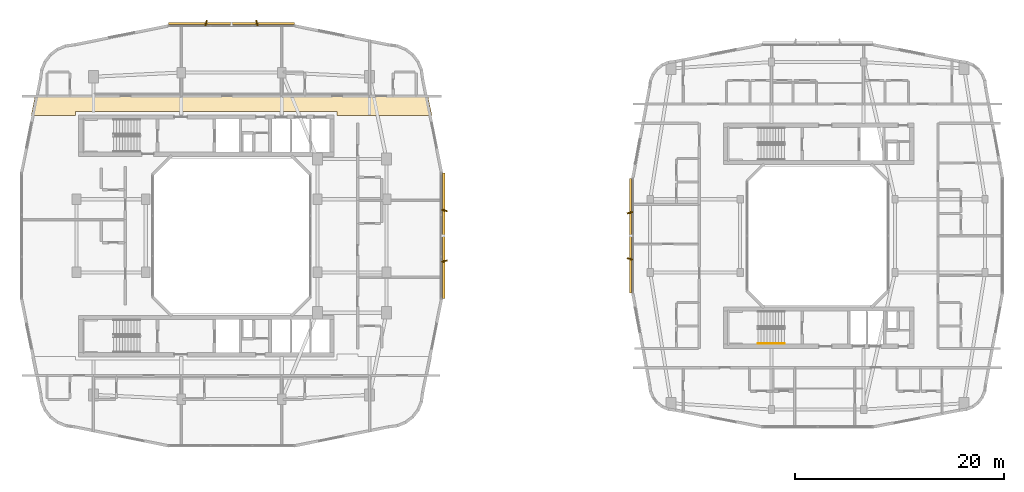
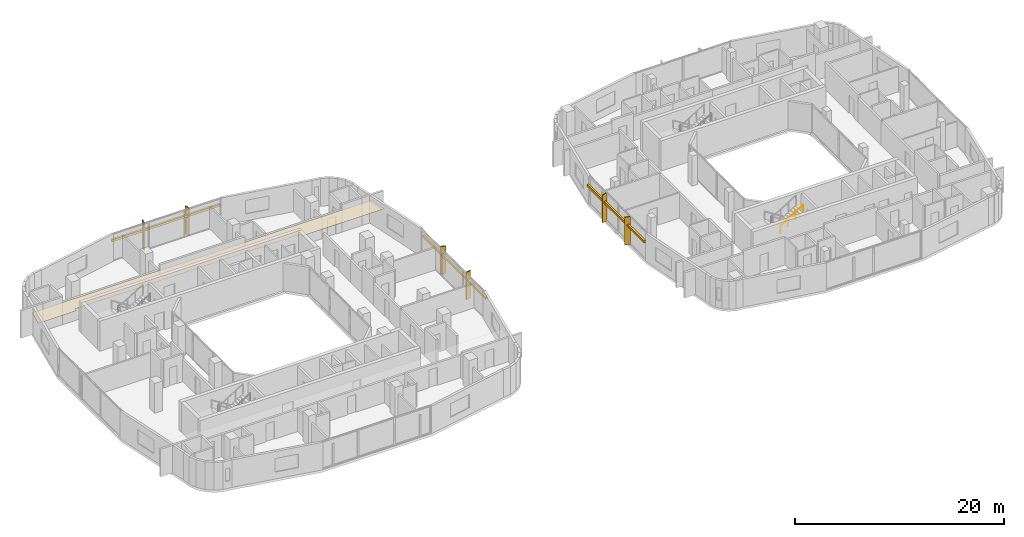
# One storey, part 25 of 26: 9 shading devices, 1 covering, 1 railing.
"""IFC4 building model written with IfcOpenShell, lengths in metres."""

import ifcopenshell
import ifcopenshell.guid

model = None  # the IFC model being written
_history = None  # IfcOwnerHistory: only IFC2X3 demands one
_inside = {}  # id of a spatial element -> (the spatial element, [elements in it])
_under = {}  # id of a project, library or spatial element -> (it, [spatial elements below it])
_declared = {}  # id of a project -> (the project, [libraries it declares])
_typed = {}  # id of a type object -> (the type object, [elements of that type])
_made_of = {}  # id of a material, layer set ... -> (it, [elements and type objects made of it])


def new_model(schema):
    """Start an empty IFC model of exactly this schema.

    Asked for "IFC4X3", IfcOpenShell would pick the latest addendum, in which some entities
    have other attributes; the version numbers below select the first issue.
    IFC2X3 requires an IfcOwnerHistory on every rooted entity: one is made here for all.
    """
    global model, _history
    if schema == "IFC4X3":
        model = ifcopenshell.file(schema_version=(4, 3, 0, 0))
    else:
        model = ifcopenshell.file(schema=schema)
    _inside.clear()
    _under.clear()
    _declared.clear()
    _typed.clear()
    _made_of.clear()
    _history = None
    if model.schema == "IFC2X3":
        org = make("IfcOrganization", Name="unknown")
        user = make(
            "IfcPersonAndOrganization",
            ThePerson=make("IfcPerson", FamilyName="unknown"),
            TheOrganization=org,
        )
        app = make(
            "IfcApplication",
            ApplicationDeveloper=org,
            Version="unknown",
            ApplicationFullName="unknown",
            ApplicationIdentifier="unknown",
        )
        _history = make(
            "IfcOwnerHistory",
            OwningUser=user,
            OwningApplication=app,
            ChangeAction="ADDED",
            CreationDate=0,
        )
    return model


def make(cls, **values):
    """One entity of the class cls with the attributes given. An attribute that is None is left unset."""
    return model.create_entity(
        cls, **{name: value for name, value in values.items() if value is not None}
    )


def rooted(cls, **values):
    """An entity with a GlobalId (a new one), such as an element, a storey or a relation."""
    return make(cls, GlobalId=ifcopenshell.guid.new(), OwnerHistory=_history, **values)


def si_unit(unit_type, name, prefix=None):
    """IfcSIUnit, for example si_unit("LENGTHUNIT", "METRE", prefix="MILLI")."""
    return make("IfcSIUnit", UnitType=unit_type, Prefix=prefix, Name=name)


def derived_unit(unit_type, elements):
    """IfcDerivedUnit: a product of units, each with its exponent."""
    return make(
        "IfcDerivedUnit",
        Elements=[
            make("IfcDerivedUnitElement", Unit=unit, Exponent=power)
            for unit, power in elements
        ],
        UnitType=unit_type,
    )


def assignment(units):
    """IfcUnitAssignment: the units of a project."""
    return None if units is None else make("IfcUnitAssignment", Units=units)


def point(xyz):
    """IfcCartesianPoint."""
    return None if xyz is None else make("IfcCartesianPoint", Coordinates=xyz)


def direction(xyz):
    """IfcDirection."""
    return None if xyz is None else make("IfcDirection", DirectionRatios=xyz)


def frame(location, z_axis=None, x_axis=None):
    """IfcAxis2Placement3D, a coordinate frame: its origin and axes. An axis left out is left unset."""
    return make(
        "IfcAxis2Placement3D",
        Location=point(location),
        Axis=direction(z_axis),
        RefDirection=direction(x_axis),
    )


def frame_2d(location, x_axis=None):
    """IfcAxis2Placement2D, a coordinate frame in the plane: its origin and x axis."""
    return make(
        "IfcAxis2Placement2D", Location=point(location), RefDirection=direction(x_axis)
    )


def origin():
    """The frame at (0, 0, 0) with its axes left unset."""
    return frame((0.0, 0.0, 0.0))


def origin_2d():
    """The frame at (0, 0) in the plane with its x axis left unset."""
    return frame_2d((0.0, 0.0))


def place(relative_to, where):
    """IfcLocalPlacement: puts the frame where relative to a parent placement (None: the world)."""
    return make(
        "IfcLocalPlacement", PlacementRelTo=relative_to, RelativePlacement=where
    )


def context(
    kind, dimensions, precision=None, world=None, true_north=None, identifier=None
):
    """IfcGeometricRepresentationContext, for example the 3D "Model" context."""
    return make(
        "IfcGeometricRepresentationContext",
        ContextIdentifier=identifier,
        ContextType=kind,
        CoordinateSpaceDimension=dimensions,
        Precision=precision,
        WorldCoordinateSystem=world,
        TrueNorth=true_north,
    )


def subcontext(parent, identifier, kind, view, scale=None):
    """IfcGeometricRepresentationSubContext, for example "Body" below "Model"."""
    return make(
        "IfcGeometricRepresentationSubContext",
        ContextIdentifier=identifier,
        ContextType=kind,
        ParentContext=parent,
        TargetScale=scale,
        TargetView=view,
    )


def project(units=None, contexts=None):
    """IfcProject with its units and contexts."""
    return rooted(
        "IfcProject",
        Name="project",
        RepresentationContexts=contexts,
        UnitsInContext=assignment(units),
    )


def spatial(cls, under=None, at=None, **own):
    """A site, building, storey or space (cls), placed at a placement, below another one or the project."""
    s = rooted(cls, ObjectPlacement=at, **own)
    if under is not None:
        _under.setdefault(under.id(), (under, []))[1].append(s)
    return s


def polyline(points):
    """IfcPolyline through the points."""
    return make("IfcPolyline", Points=[point(p) for p in points])


def profile(cls, at=None, kind="AREA", **sizes):
    """A parametric profile (cls). Its sizes go by their IFC names, for example OverallWidth=200.0."""
    return make(cls, ProfileType=kind, Position=at, **sizes)


def rectangle(**sizes):
    """IfcRectangleProfileDef."""
    return profile("IfcRectangleProfileDef", **sizes)


def circle(**sizes):
    """IfcCircleProfileDef."""
    return profile("IfcCircleProfileDef", **sizes)


def outline(outer, holes=None, kind="AREA"):
    """IfcArbitraryClosedProfileDef: a profile drawn as a closed curve; with holes, ...WithVoids."""
    if holes is None:
        return make("IfcArbitraryClosedProfileDef", ProfileType=kind, OuterCurve=outer)
    return make(
        "IfcArbitraryProfileDefWithVoids",
        ProfileType=kind,
        OuterCurve=outer,
        InnerCurves=holes,
    )


def extrude(swept, where, along, depth):
    """IfcExtrudedAreaSolid: the profile swept, set in the frame where, extruded along a direction by depth."""
    return make(
        "IfcExtrudedAreaSolid",
        SweptArea=swept,
        Position=where,
        ExtrudedDirection=direction(along),
        Depth=depth,
    )


def shape(context_of_items, identifier, shape_type, items):
    """IfcShapeRepresentation: the items that make up one representation, for example the "Body"."""
    return make(
        "IfcShapeRepresentation",
        ContextOfItems=context_of_items,
        RepresentationIdentifier=identifier,
        RepresentationType=shape_type,
        Items=items,
    )


def material(Name=None, Category=None):
    """IfcMaterial."""
    return make("IfcMaterial", Name=Name, Category=Category)


def layer(
    of_material, thickness, ventilated=None, Name=None, Category=None, Priority=None
):
    """IfcMaterialLayer: one layer of a wall or slab, of a material (None: an air gap)."""
    return make(
        "IfcMaterialLayer",
        Material=of_material,
        LayerThickness=thickness,
        IsVentilated=ventilated,
        Name=Name,
        Category=Category,
        Priority=Priority,
    )


def layer_set(layers, Name=None):
    """IfcMaterialLayerSet."""
    return make("IfcMaterialLayerSet", MaterialLayers=layers, LayerSetName=Name)


def made_of(thing, what):
    """Note that an element or type object is made of a material, layer set ...; save() writes the relation."""
    if what is not None:
        _made_of.setdefault(what.id(), (what, []))[1].append(thing)
    return thing


def type_object(cls, material=None, **own):
    """A type object (cls), such as IfcWallType, which elements share."""
    return made_of(rooted(cls, **own), material)


def element(
    cls,
    number,
    at=None,
    inside=None,
    cuts=None,
    type_object=None,
    material=None,
    context=None,
    identifier="Body",
    shape_type=None,
    held_by="IfcProductDefinitionShape",
    body=None,
    shapes=None,
    **own,
):
    """One element of the class cls, such as IfcWall. Its Tag is "e" and its number.

    at: its placement. inside: the storey or other place that contains it. cuts: it is an
    opening in that element (IfcRelVoidsElement). A single representation is given by context,
    identifier, shape_type and body (its items); several are given by shapes. held_by: the class
    of the entity that holds the representations. save() writes the other relations.
    """
    e = rooted(cls, Tag="e%d" % number, ObjectPlacement=at, **own)
    if body is not None:
        shapes = [shape(context, identifier, shape_type, body)]
    if shapes is not None:
        e.Representation = make(held_by, Representations=shapes)
    if inside is not None:
        _inside.setdefault(inside.id(), (inside, []))[1].append(e)
    if cuts is not None:
        rooted(
            "IfcRelVoidsElement", RelatingBuildingElement=cuts, RelatedOpeningElement=e
        )
    if type_object is not None:
        _typed.setdefault(type_object.id(), (type_object, []))[1].append(e)
    return made_of(e, material)


def aggregate(whole, parts):
    """IfcRelAggregates: a whole, such as a stair, and the parts it consists of."""
    return rooted("IfcRelAggregates", RelatingObject=whole, RelatedObjects=parts)


def save(model, path):
    """Write the relations noted so far, then the file.

    IfcRelAggregates (storeys below a building ...), IfcRelContainedInSpatialStructure (elements
    in a storey), IfcRelDefinesByType, IfcRelAssociatesMaterial and IfcRelDeclares: one each for
    every whole, place, type object, material and project.
    """
    for whole, parts in _under.values():
        aggregate(whole, parts)
    for where, things in _inside.values():
        rooted(
            "IfcRelContainedInSpatialStructure",
            RelatedElements=things,
            RelatingStructure=where,
        )
    for kind, things in _typed.values():
        rooted("IfcRelDefinesByType", RelatedObjects=things, RelatingType=kind)
    for what, things in _made_of.values():
        rooted("IfcRelAssociatesMaterial", RelatedObjects=things, RelatingMaterial=what)
    for by, libraries in _declared.values():
        rooted("IfcRelDeclares", RelatingContext=by, RelatedDefinitions=libraries)
    model.write(path)


model = new_model("IFC4")

# Units and contexts
model_context = context("Model", 3, precision=1e-05, world=origin(), true_north=direction((0.0, 1.0)))
body_context = subcontext(model_context, "Body", "Model", "MODEL_VIEW")
ifc_project = project(units=[si_unit("LENGTHUNIT", "METRE"), si_unit("AREAUNIT", "SQUARE_METRE"), si_unit("VOLUMEUNIT", "CUBIC_METRE"), si_unit("PLANEANGLEUNIT", "RADIAN"), si_unit("MASSUNIT", "GRAM", prefix="KILO"), derived_unit("THERMALTRANSMITTANCEUNIT", [(si_unit("POWERUNIT", "WATT"), 1), (si_unit("LENGTHUNIT", "METRE"), -2), (si_unit("THERMODYNAMICTEMPERATUREUNIT", "KELVIN"), -1)])], contexts=[model_context])

# Site, building, storey
site_placement = place(None, origin())
site = spatial("IfcSite", under=ifc_project, at=site_placement, CompositionType="ELEMENT")
building_placement = place(site_placement, origin())
building = spatial("IfcBuilding", under=site, at=building_placement, Name="Kivonza Crest Hotel", CompositionType="ELEMENT")
storey_placement = place(building_placement, frame((0.0, 0.0, 102.0)))
storey = spatial("IfcBuildingStorey", under=building, at=storey_placement, Name="L27", CompositionType="ELEMENT", Elevation=102.0)

# Covering
ifc_material_1 = material(Name="Mineral-fibre acoustic ceiling tile", Category="gypsum")
ifc_layer = layer(ifc_material_1, 0.02490234375)
ifc_layer_set = layer_set([ifc_layer], Name="Mineral-fibre acoustic ceiling tile")
covering_type = type_object("IfcCoveringType", Name="CV-CEIL-ACOU", PredefinedType="CEILING", material=ifc_layer_set)
covering_placement = place(storey_placement, frame((0.0, 0.0, 2.449951171875)))
element("IfcCovering", 1, at=covering_placement, inside=storey, type_object=covering_type, Name="L27 Hotel North Guest Corridor suspended ceiling", PredefinedType="CEILING", context=body_context, shape_type="SweptSolid", body=[
    extrude(outline(polyline([(2.235107421875, 38.389892578125), (1.85791015625, 36.52001953125), (6.10009765625, 36.52001953125), (6.10009765625, 36.860107421875), (31.10009765625, 36.860107421875), (31.10009765625, 36.52001953125), (40.14208984375, 36.52001953125), (39.764892578125, 38.389892578125), (2.235107421875, 38.389892578125)])), origin(), (0.0, 0.0, 1.0), 0.025146484375),
])

# Railing
ifc_material_2 = material(Name="Brushed stainless steel handrail", Category="steel")
railing_type = type_object("IfcRailingType", Name="RL-HAND-900", PredefinedType="HANDRAIL", material=ifc_material_2)
railing_placement = place(storey_placement, frame((71.320068359375, 14.7099609375, 1.925048828125)))
element("IfcRailing", 2, at=railing_placement, inside=storey, type_object=railing_type, Name="L27 ST-T2-S stair handrail 2", PredefinedType="HANDRAIL", context=body_context, shape_type="SweptSolid", body=[
    extrude(circle(Radius=0.02392578125, at=origin_2d()), frame((0.0, 0.0, 0.8759765625), z_axis=(0.848007534815, 0.0, 0.529984170421), x_axis=(0.0, 1.0, 0.0)), (0.0, 0.0, 1.0), 2.9716796875),
    extrude(circle(Radius=0.02099609375, at=origin_2d()), origin(), (0.0, 0.0, 1.0), 0.851806640625),
    extrude(circle(Radius=0.02099609375, at=origin_2d()), frame((0.840087890625, 0.0, 0.52490234375)), (0.0, 0.0, 1.0), 0.851806640625),
    extrude(circle(Radius=0.02099609375, at=origin_2d()), frame((1.679931640625, 0.0, 1.050048828125)), (0.0, 0.0, 1.0), 0.851806640625),
    extrude(circle(Radius=0.02099609375, at=origin_2d()), frame((2.52001953125, 0.0, 1.574951171875)), (0.0, 0.0, 1.0), 0.851806640625),
])

# Shading devices
ifc_material_3 = material(Name="Kiln-fired Nairobi red-ochre terracotta", Category="masonry")
shading_device_type_1 = type_object("IfcShadingDeviceType", Name="SH-BAGUETTE-300", PredefinedType="USERDEFINED", material=ifc_material_3)
for number, where, z_axis, x_axis, name in (
    (3, (41.280029296875, 25.0, 2.1240234375), (0.0, 0.0, 1.0), (0.0, 1.0, 0.0), "L27 terracotta baguette screen CW-T1-L27-17"),
    (4, (21.0, 45.280029296875, 2.1240234375), (0.0, 0.0, 1.0), (-1.0, 0.0, 0.0), "L27 terracotta baguette screen CW-T1-L27-26"),
):
    element("IfcShadingDevice", number, at=place(storey_placement, frame(where, z_axis=z_axis, x_axis=x_axis)), inside=storey, type_object=shading_device_type_1, Name=name, ObjectType="BAGUETTE", PredefinedType="USERDEFINED", context=body_context, shape_type="SweptSolid", body=[
        extrude(rectangle(XDim=12.0, YDim=0.219970703125, at=origin_2d()), origin(), (0.0, 0.0, 1.0), 0.260009765625),
    ])
shading_device_placement = place(storey_placement, frame((59.1201171875, 25.0, 2.14501953125), z_axis=(0.0, 0.0, 1.0), x_axis=(0.0, -1.0, 0.0)))
element("IfcShadingDevice", 5, at=shading_device_placement, inside=storey, type_object=shading_device_type_1, Name="L27 terracotta baguette screen CW-T2-L27-35", ObjectType="BAGUETTE", PredefinedType="USERDEFINED", context=body_context, shape_type="SweptSolid", body=[
    extrude(rectangle(XDim=10.919921875, YDim=0.219970703125, at=origin_2d()), origin(), (0.0, 0.0, 1.0), 0.260009765625),
])
ifc_material_4 = material(Name="Kiln-fired terracotta over extruded aluminium spine", Category="masonry")
shading_device_type_2 = type_object("IfcShadingDeviceType", Name="SH-FIN-550", PredefinedType="USERDEFINED", material=ifc_material_4)
for number, where, z_axis, x_axis, name in (
    (6, (41.340087890625, 22.575927734375, 0.0), (0.0, 0.0, 1.0), (-0.2419218956, 0.970295726276, 0.0), "L27 vertical solar shading fin CW-T1-L27-17-1"),
    (7, (41.340087890625, 27.424072265625, 0.0), (0.0, 0.0, 1.0), (0.2419218956, 0.970295726276, 0.0), "L27 vertical solar shading fin CW-T1-L27-17-2"),
    (8, (23.424072265625, 45.340087890625, 0.0), (0.0, 0.0, 1.0), (-0.970295726276, -0.2419218956, 0.0), "L27 vertical solar shading fin CW-T1-L27-26-1"),
    (9, (18.575927734375, 45.340087890625, 0.0), (0.0, 0.0, 1.0), (-0.970295726276, 0.2419218956, 0.0), "L27 vertical solar shading fin CW-T1-L27-26-2"),
):
    element("IfcShadingDevice", number, at=place(storey_placement, frame(where, z_axis=z_axis, x_axis=x_axis)), inside=storey, type_object=shading_device_type_2, Name=name, ObjectType="FIN", PredefinedType="USERDEFINED", context=body_context, shape_type="SweptSolid", body=[
        extrude(rectangle(XDim=0.1201171875, YDim=0.550048828125, at=origin_2d()), origin(), (0.0, 0.0, 1.0), 3.219970703125),
    ])
for number, where, z_axis, x_axis, name in (
    (10, (59.06005859375, 27.2080078125, 0.0), (0.0, 0.0, 1.0), (0.2419218956, -0.970295726276, 0.0), "L27 vertical solar shading fin CW-T2-L27-35-1"),
    (11, (59.06005859375, 22.7919921875, 0.0), (0.0, 0.0, 1.0), (-0.2419218956, -0.970295726276, 0.0), "L27 vertical solar shading fin CW-T2-L27-35-2"),
):
    element("IfcShadingDevice", number, at=place(storey_placement, frame(where, z_axis=z_axis, x_axis=x_axis)), inside=storey, type_object=shading_device_type_2, Name=name, ObjectType="FIN", PredefinedType="USERDEFINED", context=body_context, shape_type="SweptSolid", body=[
        extrude(rectangle(XDim=0.1201171875, YDim=0.550048828125, at=origin_2d()), origin(), (0.0, 0.0, 1.0), 3.25),
    ])

save(model, "model.ifc")
